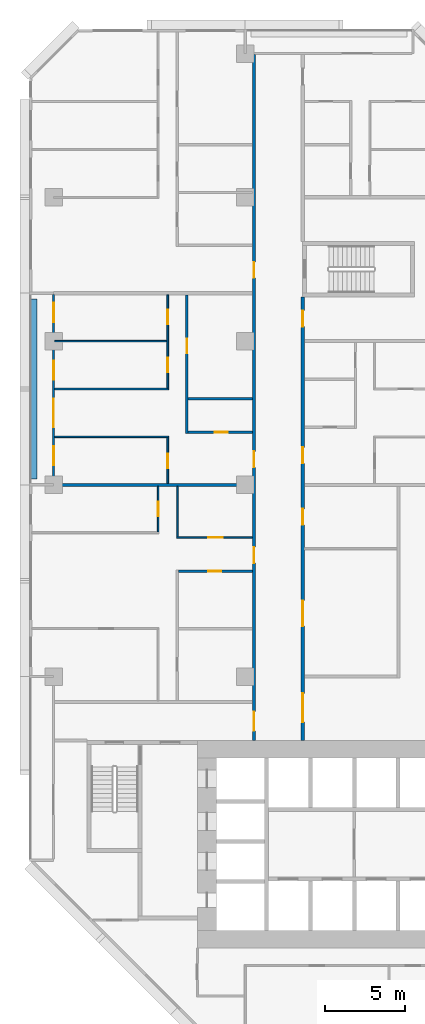
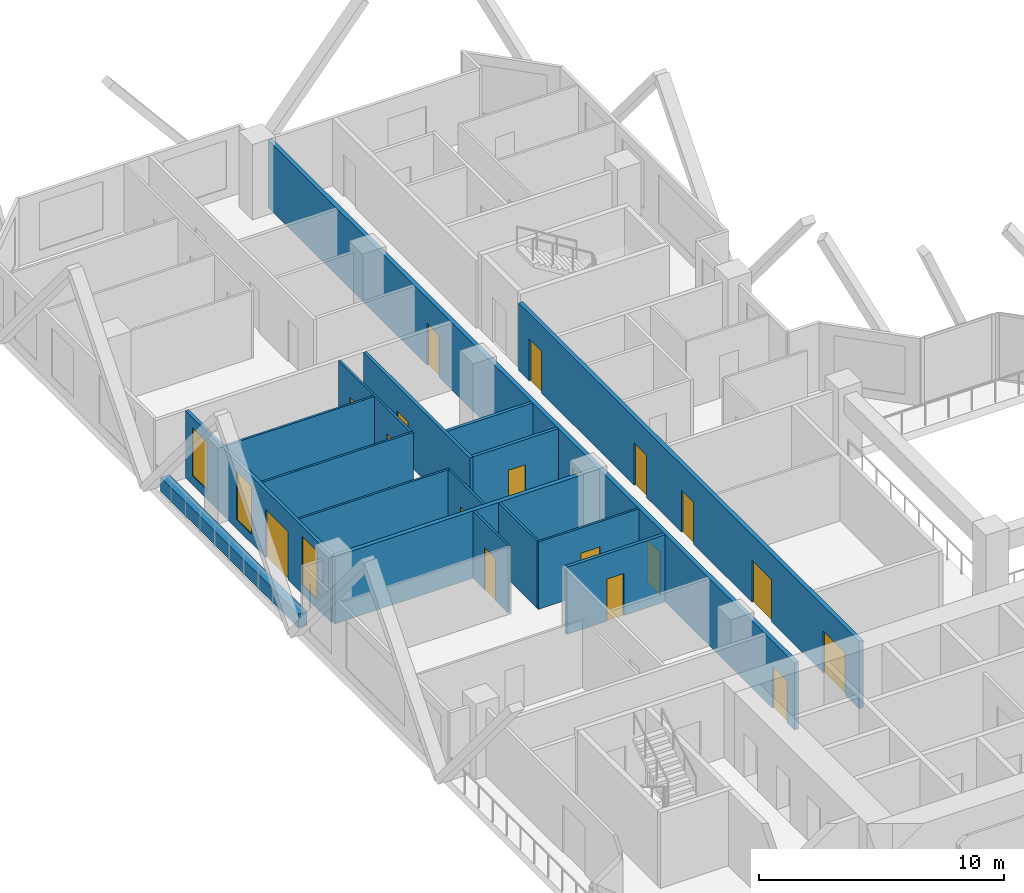
# One storey, part 9 of 16: 18 doors, 17 walls, 3 windows, 21 openings.
"""IFC4 building model written with IfcOpenShell, lengths in metres."""

import ifcopenshell
import ifcopenshell.guid

model = None  # the IFC model being written
_history = None  # IfcOwnerHistory: only IFC2X3 demands one
_inside = {}  # id of a spatial element -> (the spatial element, [elements in it])
_under = {}  # id of a project, library or spatial element -> (it, [spatial elements below it])
_declared = {}  # id of a project -> (the project, [libraries it declares])
_typed = {}  # id of a type object -> (the type object, [elements of that type])
_made_of = {}  # id of a material, layer set ... -> (it, [elements and type objects made of it])


def new_model(schema):
    """Start an empty IFC model of exactly this schema.

    Asked for "IFC4X3", IfcOpenShell would pick the latest addendum, in which some entities
    have other attributes; the version numbers below select the first issue.
    IFC2X3 requires an IfcOwnerHistory on every rooted entity: one is made here for all.
    """
    global model, _history
    if schema == "IFC4X3":
        model = ifcopenshell.file(schema_version=(4, 3, 0, 0))
    else:
        model = ifcopenshell.file(schema=schema)
    _inside.clear()
    _under.clear()
    _declared.clear()
    _typed.clear()
    _made_of.clear()
    _history = None
    if model.schema == "IFC2X3":
        org = make("IfcOrganization", Name="unknown")
        user = make(
            "IfcPersonAndOrganization",
            ThePerson=make("IfcPerson", FamilyName="unknown"),
            TheOrganization=org,
        )
        app = make(
            "IfcApplication",
            ApplicationDeveloper=org,
            Version="unknown",
            ApplicationFullName="unknown",
            ApplicationIdentifier="unknown",
        )
        _history = make(
            "IfcOwnerHistory",
            OwningUser=user,
            OwningApplication=app,
            ChangeAction="ADDED",
            CreationDate=0,
        )
    return model


def make(cls, **values):
    """One entity of the class cls with the attributes given. An attribute that is None is left unset."""
    return model.create_entity(
        cls, **{name: value for name, value in values.items() if value is not None}
    )


def rooted(cls, **values):
    """An entity with a GlobalId (a new one), such as an element, a storey or a relation."""
    return make(cls, GlobalId=ifcopenshell.guid.new(), OwnerHistory=_history, **values)


def si_unit(unit_type, name, prefix=None):
    """IfcSIUnit, for example si_unit("LENGTHUNIT", "METRE", prefix="MILLI")."""
    return make("IfcSIUnit", UnitType=unit_type, Prefix=prefix, Name=name)


def assignment(units):
    """IfcUnitAssignment: the units of a project."""
    return None if units is None else make("IfcUnitAssignment", Units=units)


def point(xyz):
    """IfcCartesianPoint."""
    return None if xyz is None else make("IfcCartesianPoint", Coordinates=xyz)


def direction(xyz):
    """IfcDirection."""
    return None if xyz is None else make("IfcDirection", DirectionRatios=xyz)


def frame(location, z_axis=None, x_axis=None):
    """IfcAxis2Placement3D, a coordinate frame: its origin and axes. An axis left out is left unset."""
    return make(
        "IfcAxis2Placement3D",
        Location=point(location),
        Axis=direction(z_axis),
        RefDirection=direction(x_axis),
    )


def frame_2d(location, x_axis=None):
    """IfcAxis2Placement2D, a coordinate frame in the plane: its origin and x axis."""
    return make(
        "IfcAxis2Placement2D", Location=point(location), RefDirection=direction(x_axis)
    )


def origin():
    """The frame at (0, 0, 0) with its axes left unset."""
    return frame((0.0, 0.0, 0.0))


def place(relative_to, where):
    """IfcLocalPlacement: puts the frame where relative to a parent placement (None: the world)."""
    return make(
        "IfcLocalPlacement", PlacementRelTo=relative_to, RelativePlacement=where
    )


def context(
    kind, dimensions, precision=None, world=None, true_north=None, identifier=None
):
    """IfcGeometricRepresentationContext, for example the 3D "Model" context."""
    return make(
        "IfcGeometricRepresentationContext",
        ContextIdentifier=identifier,
        ContextType=kind,
        CoordinateSpaceDimension=dimensions,
        Precision=precision,
        WorldCoordinateSystem=world,
        TrueNorth=true_north,
    )


def subcontext(parent, identifier, kind, view, scale=None):
    """IfcGeometricRepresentationSubContext, for example "Body" below "Model"."""
    return make(
        "IfcGeometricRepresentationSubContext",
        ContextIdentifier=identifier,
        ContextType=kind,
        ParentContext=parent,
        TargetScale=scale,
        TargetView=view,
    )


def project(units=None, contexts=None):
    """IfcProject with its units and contexts."""
    return rooted(
        "IfcProject",
        Name="project",
        RepresentationContexts=contexts,
        UnitsInContext=assignment(units),
    )


def spatial(cls, under=None, at=None, **own):
    """A site, building, storey or space (cls), placed at a placement, below another one or the project."""
    s = rooted(cls, ObjectPlacement=at, **own)
    if under is not None:
        _under.setdefault(under.id(), (under, []))[1].append(s)
    return s


def profile(cls, at=None, kind="AREA", **sizes):
    """A parametric profile (cls). Its sizes go by their IFC names, for example OverallWidth=200.0."""
    return make(cls, ProfileType=kind, Position=at, **sizes)


def rectangle(**sizes):
    """IfcRectangleProfileDef."""
    return profile("IfcRectangleProfileDef", **sizes)


def extrude(swept, where, along, depth):
    """IfcExtrudedAreaSolid: the profile swept, set in the frame where, extruded along a direction by depth."""
    return make(
        "IfcExtrudedAreaSolid",
        SweptArea=swept,
        Position=where,
        ExtrudedDirection=direction(along),
        Depth=depth,
    )


def shape(context_of_items, identifier, shape_type, items):
    """IfcShapeRepresentation: the items that make up one representation, for example the "Body"."""
    return make(
        "IfcShapeRepresentation",
        ContextOfItems=context_of_items,
        RepresentationIdentifier=identifier,
        RepresentationType=shape_type,
        Items=items,
    )


def material(Name=None, Category=None):
    """IfcMaterial."""
    return make("IfcMaterial", Name=Name, Category=Category)


def layer(
    of_material, thickness, ventilated=None, Name=None, Category=None, Priority=None
):
    """IfcMaterialLayer: one layer of a wall or slab, of a material (None: an air gap)."""
    return make(
        "IfcMaterialLayer",
        Material=of_material,
        LayerThickness=thickness,
        IsVentilated=ventilated,
        Name=Name,
        Category=Category,
        Priority=Priority,
    )


def layer_set(layers, Name=None):
    """IfcMaterialLayerSet."""
    return make("IfcMaterialLayerSet", MaterialLayers=layers, LayerSetName=Name)


def made_of(thing, what):
    """Note that an element or type object is made of a material, layer set ...; save() writes the relation."""
    if what is not None:
        _made_of.setdefault(what.id(), (what, []))[1].append(thing)
    return thing


def type_object(cls, material=None, **own):
    """A type object (cls), such as IfcWallType, which elements share."""
    return made_of(rooted(cls, **own), material)


def element(
    cls,
    number,
    at=None,
    inside=None,
    cuts=None,
    type_object=None,
    material=None,
    context=None,
    identifier="Body",
    shape_type=None,
    held_by="IfcProductDefinitionShape",
    body=None,
    shapes=None,
    **own,
):
    """One element of the class cls, such as IfcWall. Its Tag is "e" and its number.

    at: its placement. inside: the storey or other place that contains it. cuts: it is an
    opening in that element (IfcRelVoidsElement). A single representation is given by context,
    identifier, shape_type and body (its items); several are given by shapes. held_by: the class
    of the entity that holds the representations. save() writes the other relations.
    """
    e = rooted(cls, Tag="e%d" % number, ObjectPlacement=at, **own)
    if body is not None:
        shapes = [shape(context, identifier, shape_type, body)]
    if shapes is not None:
        e.Representation = make(held_by, Representations=shapes)
    if inside is not None:
        _inside.setdefault(inside.id(), (inside, []))[1].append(e)
    if cuts is not None:
        rooted(
            "IfcRelVoidsElement", RelatingBuildingElement=cuts, RelatedOpeningElement=e
        )
    if type_object is not None:
        _typed.setdefault(type_object.id(), (type_object, []))[1].append(e)
    return made_of(e, material)


def fill(opening, filler):
    """IfcRelFillsElement: the door or window that sits in an opening."""
    return rooted(
        "IfcRelFillsElement",
        RelatingOpeningElement=opening,
        RelatedBuildingElement=filler,
    )


def aggregate(whole, parts):
    """IfcRelAggregates: a whole, such as a stair, and the parts it consists of."""
    return rooted("IfcRelAggregates", RelatingObject=whole, RelatedObjects=parts)


def save(model, path):
    """Write the relations noted so far, then the file.

    IfcRelAggregates (storeys below a building ...), IfcRelContainedInSpatialStructure (elements
    in a storey), IfcRelDefinesByType, IfcRelAssociatesMaterial and IfcRelDeclares: one each for
    every whole, place, type object, material and project.
    """
    for whole, parts in _under.values():
        aggregate(whole, parts)
    for where, things in _inside.values():
        rooted(
            "IfcRelContainedInSpatialStructure",
            RelatedElements=things,
            RelatingStructure=where,
        )
    for kind, things in _typed.values():
        rooted("IfcRelDefinesByType", RelatedObjects=things, RelatingType=kind)
    for what, things in _made_of.values():
        rooted("IfcRelAssociatesMaterial", RelatedObjects=things, RelatingMaterial=what)
    for by, libraries in _declared.values():
        rooted("IfcRelDeclares", RelatingContext=by, RelatedDefinitions=libraries)
    model.write(path)


model = new_model("IFC4")

# Units and contexts
model_context = context("Model", 3, precision=1e-05, world=origin(), true_north=direction((0.0, 1.0)))
body_context = subcontext(model_context, "Body", "Model", "MODEL_VIEW")
ifc_project = project(units=[si_unit("LENGTHUNIT", "METRE"), si_unit("AREAUNIT", "SQUARE_METRE"), si_unit("VOLUMEUNIT", "CUBIC_METRE"), si_unit("PLANEANGLEUNIT", "RADIAN"), si_unit("MASSUNIT", "GRAM", prefix="KILO")], contexts=[model_context])

# Site, building, storey
site_placement = place(None, origin())
site = spatial("IfcSite", under=ifc_project, at=site_placement, CompositionType="ELEMENT")
building_placement = place(site_placement, origin())
building = spatial("IfcBuilding", under=site, at=building_placement, Name="Chenar Terraces", CompositionType="ELEMENT")
storey_placement = place(building_placement, frame((0.0, 0.0, 71.39990234375)))
storey = spatial("IfcBuildingStorey", under=building, at=storey_placement, Name="L15", CompositionType="ELEMENT", Elevation=71.39990234375)

# Wall, openings, doors
ifc_material_1 = material(Name="Gypsum board on steel studs with fire boards", Category="steel")
ifc_layer_1 = layer(ifc_material_1, 0.199951171875)
ifc_layer_set_1 = layer_set([ifc_layer_1], Name="Gypsum board on steel studs with fire boards")
wall_type_1 = type_object("IfcWallType", Name="Corridor wall 200", PredefinedType="PARTITIONING", material=ifc_layer_set_1)
wall_1_placement = place(storey_placement, frame((12.550048828125, 20.0, 0.0), z_axis=(0.0, 0.0, 1.0), x_axis=(0.0, 1.0, 0.0)))
wall_1 = element("IfcWall", 1, at=wall_1_placement, inside=storey, type_object=wall_type_1, Name="Partition L15-035", PredefinedType="PARTITIONING", context=body_context, shape_type="SweptSolid", body=[
    extrude(rectangle(XDim=42.926025390625, YDim=0.199951171875, at=frame_2d((21.462890625, 0.0))), origin(), (0.0, 0.0, 1.0), 3.35009765625),
])
opening_1_placement = place(wall_1_placement, frame((17.10009765625, 0.0, 0.0)))
opening_1 = element("IfcOpeningElement", 2, at=opening_1_placement, cuts=wall_1, Name="Opening DL15-44", PredefinedType="OPENING", context=body_context, shape_type="SweptSolid", body=[
    extrude(rectangle(XDim=1.0, YDim=2.10009765625, at=frame_2d((0.5, 1.050048828125))), frame((0.0, 0.10986328125, 0.0), z_axis=(0.0, -1.0, 0.0), x_axis=(1.0, 0.0, 0.0)), (0.0, 0.0, 1.0), 0.219970703125),
])
opening_2_placement = place(wall_1_placement, frame((28.949951171875, 0.0, 0.0)))
opening_2 = element("IfcOpeningElement", 3, at=opening_2_placement, cuts=wall_1, Name="Opening DL15-50", PredefinedType="OPENING", context=body_context, shape_type="SweptSolid", body=[
    extrude(rectangle(XDim=1.0, YDim=2.10009765625, at=frame_2d((0.5, 1.050048828125))), frame((0.0, 0.10986328125, 0.0), z_axis=(0.0, -1.0, 0.0), x_axis=(1.0, 0.0, 0.0)), (0.0, 0.0, 1.0), 0.219970703125),
])
opening_3_placement = place(wall_1_placement, frame((0.60009765625, 0.0, 0.0)))
opening_3 = element("IfcOpeningElement", 4, at=opening_3_placement, cuts=wall_1, Name="Opening DL15-54", PredefinedType="OPENING", context=body_context, shape_type="SweptSolid", body=[
    extrude(rectangle(XDim=1.199951171875, YDim=2.10009765625, at=frame_2d((0.60009765625, 1.050048828125))), frame((0.0, 0.10986328125, 0.0), z_axis=(0.0, -1.0, 0.0), x_axis=(1.0, 0.0, 0.0)), (0.0, 0.0, 1.0), 0.219970703125),
])
opening_4_placement = place(wall_1_placement, frame((11.10009765625, 0.0, 0.0)))
opening_4 = element("IfcOpeningElement", 5, at=opening_4_placement, cuts=wall_1, Name="Opening DL15-75", PredefinedType="OPENING", context=body_context, shape_type="SweptSolid", body=[
    extrude(rectangle(XDim=1.0, YDim=2.10009765625, at=frame_2d((0.5, 1.050048828125))), frame((0.0, 0.10986328125, 0.0), z_axis=(0.0, -1.0, 0.0), x_axis=(1.0, 0.0, 0.0)), (0.0, 0.0, 1.0), 0.219970703125),
])
ifc_material_2 = material(Name="Steel-framed fire-resisting door leaf", Category="steel")
door_type_1 = type_object("IfcDoorType", Name="Fire door FD30S 1000 x 2100", OperationType="SINGLE_SWING_LEFT", PredefinedType="DOOR", material=ifc_material_2)
door_1_placement = place(opening_1_placement, origin())
door_1 = element("IfcDoor", 6, at=door_1_placement, inside=storey, type_object=door_type_1, Name="Door DL15-44", OperationType="SINGLE_SWING_LEFT", OverallHeight=2.10009765625, OverallWidth=1.0, PredefinedType="DOOR", context=body_context, shape_type="SweptSolid", body=[
    extrude(rectangle(XDim=1.0, YDim=2.10009765625, at=frame_2d((0.5, 1.050048828125))), frame((0.0, 0.02490234375, 0.0), z_axis=(0.0, -1.0, 0.0), x_axis=(1.0, 0.0, 0.0)), (0.0, 0.0, 1.0), 0.050048828125),
])
fill(opening_1, door_1)
door_2_placement = place(opening_2_placement, origin())
door_2 = element("IfcDoor", 7, at=door_2_placement, inside=storey, type_object=door_type_1, Name="Door DL15-50", OperationType="SINGLE_SWING_LEFT", OverallHeight=2.10009765625, OverallWidth=1.0, PredefinedType="DOOR", context=body_context, shape_type="SweptSolid", body=[
    extrude(rectangle(XDim=1.0, YDim=2.10009765625, at=frame_2d((0.5, 1.050048828125))), frame((0.0, 0.02490234375, 0.0), z_axis=(0.0, -1.0, 0.0), x_axis=(1.0, 0.0, 0.0)), (0.0, 0.0, 1.0), 0.050048828125),
])
fill(opening_2, door_2)
door_3_placement = place(opening_4_placement, origin())
door_3 = element("IfcDoor", 8, at=door_3_placement, inside=storey, type_object=door_type_1, Name="Door DL15-75", OperationType="SINGLE_SWING_LEFT", OverallHeight=2.10009765625, OverallWidth=1.0, PredefinedType="DOOR", context=body_context, shape_type="SweptSolid", body=[
    extrude(rectangle(XDim=1.0, YDim=2.10009765625, at=frame_2d((0.5, 1.050048828125))), frame((0.0, 0.02490234375, 0.0), z_axis=(0.0, -1.0, 0.0), x_axis=(1.0, 0.0, 0.0)), (0.0, 0.0, 1.0), 0.050048828125),
])
fill(opening_4, door_3)
ifc_material_3 = material(Name="Steel-framed fire-resisting door leaf", Category="steel")
door_type_2 = type_object("IfcDoorType", Name="Fire door FD30S 1200 x 2100", OperationType="SINGLE_SWING_LEFT", PredefinedType="DOOR", material=ifc_material_3)
door_4_placement = place(opening_3_placement, origin())
door_4 = element("IfcDoor", 9, at=door_4_placement, inside=storey, type_object=door_type_2, Name="Door DL15-54", OperationType="SINGLE_SWING_RIGHT", OverallHeight=2.10009765625, OverallWidth=1.199951171875, PredefinedType="DOOR", context=body_context, shape_type="SweptSolid", body=[
    extrude(rectangle(XDim=1.199951171875, YDim=2.10009765625, at=frame_2d((0.60009765625, 1.050048828125))), frame((0.0, 0.02490234375, 0.0), z_axis=(0.0, -1.0, 0.0), x_axis=(1.0, 0.0, 0.0)), (0.0, 0.0, 1.0), 0.050048828125),
])
fill(opening_3, door_4)

wall_2_placement = place(storey_placement, frame((15.60009765625, 20.0, 0.0), z_axis=(0.0, 0.0, 1.0), x_axis=(0.0, 1.0, 0.0)))
wall_2 = element("IfcWall", 10, at=wall_2_placement, inside=storey, type_object=wall_type_1, Name="Partition L15-036", PredefinedType="PARTITIONING", context=body_context, shape_type="SweptSolid", body=[
    extrude(rectangle(XDim=27.77490234375, YDim=0.199951171875, at=frame_2d((13.887451171875, 0.0))), origin(), (0.0, 0.0, 1.0), 3.35009765625),
])
opening_5_placement = place(wall_2_placement, frame((7.14990234375, 0.0, 0.0)))
opening_5 = element("IfcOpeningElement", 11, at=opening_5_placement, cuts=wall_2, Name="Opening DL15-1", PredefinedType="OPENING", context=body_context, shape_type="SweptSolid", body=[
    extrude(rectangle(XDim=1.60009765625, YDim=2.10009765625, at=frame_2d((0.800048828125, 1.050048828125))), frame((0.0, 0.10986328125, 0.0), z_axis=(0.0, -1.0, 0.0), x_axis=(1.0, 0.0, 0.0)), (0.0, 0.0, 1.0), 0.219970703125),
])
opening_6_placement = place(wall_2_placement, frame((13.5, 0.0, 0.0)))
opening_6 = element("IfcOpeningElement", 12, at=opening_6_placement, cuts=wall_2, Name="Opening DL15-2", PredefinedType="OPENING", context=body_context, shape_type="SweptSolid", body=[
    extrude(rectangle(XDim=1.0, YDim=2.10009765625, at=frame_2d((0.5, 1.050048828125))), frame((0.0, 0.10986328125, 0.0), z_axis=(0.0, -1.0, 0.0), x_axis=(1.0, 0.0, 0.0)), (0.0, 0.0, 1.0), 0.219970703125),
])
opening_7_placement = place(wall_2_placement, frame((17.35009765625, 0.0, 0.0)))
opening_7 = element("IfcOpeningElement", 13, at=opening_7_placement, cuts=wall_2, Name="Opening DL15-33", PredefinedType="OPENING", context=body_context, shape_type="SweptSolid", body=[
    extrude(rectangle(XDim=1.0, YDim=2.10009765625, at=frame_2d((0.5, 1.050048828125))), frame((0.0, 0.10986328125, 0.0), z_axis=(0.0, -1.0, 0.0), x_axis=(1.0, 0.0, 0.0)), (0.0, 0.0, 1.0), 0.219970703125),
])
opening_8_placement = place(wall_2_placement, frame((1.14990234375, 0.0, 0.0)))
opening_8 = element("IfcOpeningElement", 14, at=opening_8_placement, cuts=wall_2, Name="Opening DL15-53", PredefinedType="OPENING", context=body_context, shape_type="SweptSolid", body=[
    extrude(rectangle(XDim=1.800048828125, YDim=2.10009765625, at=frame_2d((0.89990234375, 1.050048828125))), frame((0.0, 0.10986328125, 0.0), z_axis=(0.0, -1.0, 0.0), x_axis=(1.0, 0.0, 0.0)), (0.0, 0.0, 1.0), 0.219970703125),
])
opening_9_placement = place(wall_2_placement, frame((25.89990234375, 0.0, 0.0)))
opening_9 = element("IfcOpeningElement", 15, at=opening_9_placement, cuts=wall_2, Name="Opening DL15-56", PredefinedType="OPENING", context=body_context, shape_type="SweptSolid", body=[
    extrude(rectangle(XDim=1.0, YDim=2.10009765625, at=frame_2d((0.5, 1.050048828125))), frame((0.0, 0.10986328125, 0.0), z_axis=(0.0, -1.0, 0.0), x_axis=(1.0, 0.0, 0.0)), (0.0, 0.0, 1.0), 0.219970703125),
])
ifc_material_4 = material(Name="Steel-framed fire-resisting door leaf", Category="steel")
door_type_3 = type_object("IfcDoorType", Name="Fire door FD60 1000 x 2100", OperationType="SINGLE_SWING_LEFT", PredefinedType="DOOR", material=ifc_material_4)
door_5_placement = place(opening_6_placement, frame((1.0, 0.0, 0.0), z_axis=(0.0, 0.0, 1.0), x_axis=(-1.0, 0.0, 0.0)))
door_5 = element("IfcDoor", 16, at=door_5_placement, inside=storey, type_object=door_type_3, Name="Door DL15-2", OperationType="SINGLE_SWING_LEFT", OverallHeight=2.10009765625, OverallWidth=1.0, PredefinedType="DOOR", context=body_context, shape_type="SweptSolid", body=[
    extrude(rectangle(XDim=1.0, YDim=2.10009765625, at=frame_2d((0.5, 1.050048828125))), frame((0.0, 0.02490234375, 0.0), z_axis=(0.0, -1.0, 0.0), x_axis=(1.0, 0.0, 0.0)), (0.0, 0.0, 1.0), 0.050048828125),
])
fill(opening_6, door_5)
door_6_placement = place(opening_7_placement, frame((1.0, 0.0, 0.0), z_axis=(0.0, 0.0, 1.0), x_axis=(-1.0, 0.0, 0.0)))
door_6 = element("IfcDoor", 17, at=door_6_placement, inside=storey, type_object=door_type_3, Name="Door DL15-33", OperationType="SINGLE_SWING_LEFT", OverallHeight=2.10009765625, OverallWidth=1.0, PredefinedType="DOOR", context=body_context, shape_type="SweptSolid", body=[
    extrude(rectangle(XDim=1.0, YDim=2.10009765625, at=frame_2d((0.5, 1.050048828125))), frame((0.0, 0.02490234375, 0.0), z_axis=(0.0, -1.0, 0.0), x_axis=(1.0, 0.0, 0.0)), (0.0, 0.0, 1.0), 0.050048828125),
])
fill(opening_7, door_6)
door_7_placement = place(opening_9_placement, frame((1.0, 0.0, 0.0), z_axis=(0.0, 0.0, 1.0), x_axis=(-1.0, 0.0, 0.0)))
door_7 = element("IfcDoor", 18, at=door_7_placement, inside=storey, type_object=door_type_3, Name="Door DL15-56", OperationType="SINGLE_SWING_RIGHT", OverallHeight=2.10009765625, OverallWidth=1.0, PredefinedType="DOOR", context=body_context, shape_type="SweptSolid", body=[
    extrude(rectangle(XDim=1.0, YDim=2.10009765625, at=frame_2d((0.5, 1.050048828125))), frame((0.0, 0.02490234375, 0.0), z_axis=(0.0, -1.0, 0.0), x_axis=(1.0, 0.0, 0.0)), (0.0, 0.0, 1.0), 0.050048828125),
])
fill(opening_9, door_7)
ifc_material_5 = material(Name="Steel-framed fire-resisting door leaf", Category="steel")
door_type_4 = type_object("IfcDoorType", Name="Fire double door FD60 1600 x 2100", OperationType="DOUBLE_DOOR_SINGLE_SWING", PredefinedType="DOOR", material=ifc_material_5)
door_8_placement = place(opening_5_placement, frame((1.60009765625, 0.0, 0.0), z_axis=(0.0, 0.0, 1.0), x_axis=(-1.0, 0.0, 0.0)))
door_8 = element("IfcDoor", 19, at=door_8_placement, inside=storey, type_object=door_type_4, Name="Door DL15-1", OperationType="DOUBLE_DOOR_SINGLE_SWING", OverallHeight=2.10009765625, OverallWidth=1.60009765625, PredefinedType="DOOR", context=body_context, shape_type="SweptSolid", body=[
    extrude(rectangle(XDim=1.60009765625, YDim=2.10009765625, at=frame_2d((0.800048828125, 1.050048828125))), frame((0.0, 0.02490234375, 0.0), z_axis=(0.0, -1.0, 0.0), x_axis=(1.0, 0.0, 0.0)), (0.0, 0.0, 1.0), 0.050048828125),
])
fill(opening_5, door_8)
ifc_material_6 = material(Name="Steel-framed fire-resisting door leaf", Category="steel")
door_type_5 = type_object("IfcDoorType", Name="Fire double door FD60 1800 x 2100", OperationType="DOUBLE_DOOR_SINGLE_SWING", PredefinedType="DOOR", material=ifc_material_6)
door_9_placement = place(opening_8_placement, frame((1.800048828125, 0.0, 0.0), z_axis=(0.0, 0.0, 1.0), x_axis=(-1.0, 0.0, 0.0)))
door_9 = element("IfcDoor", 20, at=door_9_placement, inside=storey, type_object=door_type_5, Name="Door DL15-53", OperationType="DOUBLE_DOOR_SINGLE_SWING", OverallHeight=2.10009765625, OverallWidth=1.800048828125, PredefinedType="DOOR", context=body_context, shape_type="SweptSolid", body=[
    extrude(rectangle(XDim=1.800048828125, YDim=2.10009765625, at=frame_2d((0.89990234375, 1.050048828125))), frame((0.0, 0.02490234375, 0.0), z_axis=(0.0, -1.0, 0.0), x_axis=(1.0, 0.0, 0.0)), (0.0, 0.0, 1.0), 0.050048828125),
])
fill(opening_8, door_9)

# Wall, openings, windows, door
ifc_material_7 = material(Name="Aluminium framed glazing", Category="aluminium")
ifc_layer_2 = layer(ifc_material_7, 0.14990234375)
ifc_layer_set_2 = layer_set([ifc_layer_2], Name="Aluminium framed glazing")
wall_type_2 = type_object("IfcWallType", Name="Glazed loggia back wall 150", PredefinedType="SOLIDWALL", material=ifc_layer_set_2)
wall_3_placement = place(storey_placement, frame((0.0, 47.925048828125, 0.0), z_axis=(0.0, 0.0, 1.0), x_axis=(0.0, -1.0, 0.0)))
wall_3 = element("IfcWall", 21, at=wall_3_placement, inside=storey, type_object=wall_type_2, Name="Glazed loggia back wall", PredefinedType="SOLIDWALL", context=body_context, shape_type="SweptSolid", body=[
    extrude(rectangle(XDim=11.85009765625, YDim=0.14990234375, at=frame_2d((5.925048828125, 0.0))), origin(), (0.0, 0.0, 1.0), 3.35009765625),
])
opening_10_placement = place(wall_3_placement, frame((0.53759765625, 0.0, 0.449951171875)))
opening_10 = element("IfcOpeningElement", 22, at=opening_10_placement, cuts=wall_3, Name="Opening W120x240", PredefinedType="OPENING", context=body_context, shape_type="SweptSolid", body=[
    extrude(rectangle(XDim=1.199951171875, YDim=2.39990234375, at=frame_2d((0.60009765625, 1.199951171875))), frame((0.0, 0.0849609375, 0.0), z_axis=(0.0, -1.0, 0.0), x_axis=(1.0, 0.0, 0.0)), (0.0, 0.0, 1.0), 0.169921875),
])
opening_11_placement = place(wall_3_placement, frame((4.14990234375, 0.0, 0.449951171875)))
opening_11 = element("IfcOpeningElement", 23, at=opening_11_placement, cuts=wall_3, Name="Opening W120x240", PredefinedType="OPENING", context=body_context, shape_type="SweptSolid", body=[
    extrude(rectangle(XDim=1.199951171875, YDim=2.39990234375, at=frame_2d((0.60009765625, 1.199951171875))), frame((0.0, 0.0849609375, 0.0), z_axis=(0.0, -1.0, 0.0), x_axis=(1.0, 0.0, 0.0)), (0.0, 0.0, 1.0), 0.169921875),
])
opening_12_placement = place(wall_3_placement, frame((6.52490234375, 0.0, 0.0)))
opening_12 = element("IfcOpeningElement", 24, at=opening_12_placement, cuts=wall_3, Name="Opening DL15-G3", PredefinedType="OPENING", context=body_context, shape_type="SweptSolid", body=[
    extrude(rectangle(XDim=1.800048828125, YDim=2.39990234375, at=frame_2d((0.89990234375, 1.199951171875))), frame((0.0, 0.0849609375, 0.0), z_axis=(0.0, -1.0, 0.0), x_axis=(1.0, 0.0, 0.0)), (0.0, 0.0, 1.0), 0.169921875),
])
opening_13_placement = place(wall_3_placement, frame((9.5, 0.0, 0.449951171875)))
opening_13 = element("IfcOpeningElement", 25, at=opening_13_placement, cuts=wall_3, Name="Opening W120x240", PredefinedType="OPENING", context=body_context, shape_type="SweptSolid", body=[
    extrude(rectangle(XDim=1.199951171875, YDim=2.39990234375, at=frame_2d((0.60009765625, 1.199951171875))), frame((0.0, 0.0849609375, 0.0), z_axis=(0.0, -1.0, 0.0), x_axis=(1.0, 0.0, 0.0)), (0.0, 0.0, 1.0), 0.169921875),
])
ifc_material_8 = material(Name="Low emissivity double glazing, aluminium frame", Category="aluminium")
window_type = type_object("IfcWindowType", Name="Fixed light 1200 x 2400", PartitioningType="SINGLE_PANEL", PredefinedType="WINDOW", material=ifc_material_8)
window_1_placement = place(opening_10_placement, origin())
window_1 = element("IfcWindow", 26, at=window_1_placement, inside=storey, type_object=window_type, Name="Window", OverallHeight=2.39990234375, OverallWidth=1.199951171875, PartitioningType="SINGLE_PANEL", PredefinedType="WINDOW", context=body_context, shape_type="SweptSolid", body=[
    extrude(rectangle(XDim=1.199951171875, YDim=2.39990234375, at=frame_2d((0.60009765625, 1.199951171875))), frame((0.0, 0.030029296875, 0.0), z_axis=(0.0, -1.0, 0.0), x_axis=(1.0, 0.0, 0.0)), (0.0, 0.0, 1.0), 0.06005859375),
])
fill(opening_10, window_1)
window_2_placement = place(opening_11_placement, origin())
window_2 = element("IfcWindow", 27, at=window_2_placement, inside=storey, type_object=window_type, Name="Window", OverallHeight=2.39990234375, OverallWidth=1.199951171875, PartitioningType="SINGLE_PANEL", PredefinedType="WINDOW", context=body_context, shape_type="SweptSolid", body=[
    extrude(rectangle(XDim=1.199951171875, YDim=2.39990234375, at=frame_2d((0.60009765625, 1.199951171875))), frame((0.0, 0.030029296875, 0.0), z_axis=(0.0, -1.0, 0.0), x_axis=(1.0, 0.0, 0.0)), (0.0, 0.0, 1.0), 0.06005859375),
])
fill(opening_11, window_2)
window_3_placement = place(opening_13_placement, origin())
window_3 = element("IfcWindow", 28, at=window_3_placement, inside=storey, type_object=window_type, Name="Window", OverallHeight=2.39990234375, OverallWidth=1.199951171875, PartitioningType="SINGLE_PANEL", PredefinedType="WINDOW", context=body_context, shape_type="SweptSolid", body=[
    extrude(rectangle(XDim=1.199951171875, YDim=2.39990234375, at=frame_2d((0.60009765625, 1.199951171875))), frame((0.0, 0.030029296875, 0.0), z_axis=(0.0, -1.0, 0.0), x_axis=(1.0, 0.0, 0.0)), (0.0, 0.0, 1.0), 0.06005859375),
])
fill(opening_13, window_3)
ifc_material_9 = material(Name="Low emissivity double glazing, aluminium frame", Category="aluminium")
door_type_6 = type_object("IfcDoorType", Name="Loggia glazed double door 1800 x 2400", OperationType="DOUBLE_DOOR_SINGLE_SWING", PredefinedType="DOOR", material=ifc_material_9)
door_10_placement = place(opening_12_placement, frame((1.800048828125, 0.0, 0.0), z_axis=(0.0, 0.0, 1.0), x_axis=(-1.0, 0.0, 0.0)))
door_10 = element("IfcDoor", 29, at=door_10_placement, inside=storey, type_object=door_type_6, Name="Loggia glazed door", OperationType="DOUBLE_DOOR_SINGLE_SWING", OverallHeight=2.39990234375, OverallWidth=1.800048828125, PredefinedType="DOOR", context=body_context, shape_type="SweptSolid", body=[
    extrude(rectangle(XDim=1.800048828125, YDim=2.39990234375, at=frame_2d((0.89990234375, 1.199951171875))), frame((0.0, 0.02490234375, 0.0), z_axis=(0.0, -1.0, 0.0), x_axis=(1.0, 0.0, 0.0)), (0.0, 0.0, 1.0), 0.050048828125),
])
fill(opening_12, door_10)

# Walls
ifc_material_10 = material(Name="Gypsum board on steel studs", Category="steel")
ifc_layer_3 = layer(ifc_material_10, 0.10009765625)
ifc_layer_set_3 = layer_set([ifc_layer_3], Name="Gypsum board on steel studs")
wall_type_3 = type_object("IfcWallType", Name="Gypsum partition 100", PredefinedType="PARTITIONING", material=ifc_layer_set_3)
for number, where, z_axis, x_axis, name in (
    (30, (0.073974609375, 39.0, 0.0), (0.0, 0.0, 1.0), (1.0, 0.0, 0.0), "Partition L15-010"),
    (31, (0.073974609375, 42.0, 0.0), (0.0, 0.0, 1.0), (1.0, 0.0, 0.0), "Partition L15-011"),
):
    element("IfcWall", number, at=place(storey_placement, frame(where, z_axis=z_axis, x_axis=x_axis)), inside=storey, type_object=wall_type_3, Name=name, PredefinedType="PARTITIONING", context=body_context, shape_type="SweptSolid", body=[
        extrude(rectangle(XDim=7.1259765625, YDim=0.10009765625, at=frame_2d((3.56298828125, 0.0))), origin(), (0.0, 0.0, 1.0), 3.35009765625),
    ])
wall_4_placement = place(storey_placement, frame((0.073974609375, 45.0, 0.0), z_axis=(0.0, 0.0, 1.0), x_axis=(1.0, 0.0, 0.0)))
element("IfcWall", 32, at=wall_4_placement, inside=storey, type_object=wall_type_3, Name="Partition L15-012", PredefinedType="PARTITIONING", context=body_context, shape_type="SweptSolid", body=[
    extrude(rectangle(XDim=7.026123046875, YDim=0.10009765625, at=frame_2d((3.51318359375, 0.0))), origin(), (0.0, 0.0, 1.0), 3.35009765625),
])

# Wall, opening, door
wall_5_placement = place(storey_placement, frame((6.550048828125, 33.050048828125, 0.0), z_axis=(0.0, 0.0, 1.0), x_axis=(0.0, 1.0, 0.0)))
wall_5 = element("IfcWall", 33, at=wall_5_placement, inside=storey, type_object=wall_type_3, Name="Partition L15-015", PredefinedType="PARTITIONING", context=body_context, shape_type="SweptSolid", body=[
    extrude(rectangle(XDim=2.849853515625, YDim=0.10009765625, at=frame_2d((1.4248046875, 0.0))), origin(), (0.0, 0.0, 1.0), 3.35009765625),
])
opening_14_placement = place(wall_5_placement, frame((1.0, 0.0, 0.0)))
opening_14 = element("IfcOpeningElement", 34, at=opening_14_placement, cuts=wall_5, Name="Opening DL15-72", PredefinedType="OPENING", context=body_context, shape_type="SweptSolid", body=[
    extrude(rectangle(XDim=0.89990234375, YDim=2.10009765625, at=frame_2d((0.449951171875, 1.050048828125))), frame((0.0, 0.06005859375, 0.0), z_axis=(0.0, -1.0, 0.0), x_axis=(1.0, 0.0, 0.0)), (0.0, 0.0, 1.0), 0.1201171875),
])
ifc_material_11 = material(Name="Veneered timber door leaf", Category="wood")
door_type_7 = type_object("IfcDoorType", Name="Door 900 x 2100", OperationType="SINGLE_SWING_LEFT", PredefinedType="DOOR", material=ifc_material_11)
door_11_placement = place(opening_14_placement, origin())
door_11 = element("IfcDoor", 35, at=door_11_placement, inside=storey, type_object=door_type_7, Name="Door DL15-72", OperationType="SINGLE_SWING_RIGHT", OverallHeight=2.10009765625, OverallWidth=0.89990234375, PredefinedType="DOOR", context=body_context, shape_type="SweptSolid", body=[
    extrude(rectangle(XDim=0.89990234375, YDim=2.10009765625, at=frame_2d((0.449951171875, 1.050048828125))), frame((0.0, 0.02490234375, 0.0), z_axis=(0.0, -1.0, 0.0), x_axis=(1.0, 0.0, 0.0)), (0.0, 0.0, 1.0), 0.050048828125),
])
fill(opening_14, door_11)

wall_6_placement = place(storey_placement, frame((7.14990234375, 36.10009765625, 0.0), z_axis=(0.0, 0.0, 1.0), x_axis=(0.0, 1.0, 0.0)))
wall_6 = element("IfcWall", 36, at=wall_6_placement, inside=storey, type_object=wall_type_3, Name="Partition L15-017", PredefinedType="PARTITIONING", context=body_context, shape_type="SweptSolid", body=[
    extrude(rectangle(XDim=2.849853515625, YDim=0.10009765625, at=frame_2d((1.4248046875, 0.0))), origin(), (0.0, 0.0, 1.0), 3.35009765625),
])
opening_15_placement = place(wall_6_placement, frame((0.949951171875, 0.0, 0.0)))
opening_15 = element("IfcOpeningElement", 37, at=opening_15_placement, cuts=wall_6, Name="Opening DL15-40", PredefinedType="OPENING", context=body_context, shape_type="SweptSolid", body=[
    extrude(rectangle(XDim=0.89990234375, YDim=2.10009765625, at=frame_2d((0.449951171875, 1.050048828125))), frame((0.0, 0.06005859375, 0.0), z_axis=(0.0, -1.0, 0.0), x_axis=(1.0, 0.0, 0.0)), (0.0, 0.0, 1.0), 0.1201171875),
])
door_12_placement = place(opening_15_placement, origin())
door_12 = element("IfcDoor", 38, at=door_12_placement, inside=storey, type_object=door_type_7, Name="Door DL15-40", OperationType="SINGLE_SWING_RIGHT", OverallHeight=2.10009765625, OverallWidth=0.89990234375, PredefinedType="DOOR", context=body_context, shape_type="SweptSolid", body=[
    extrude(rectangle(XDim=0.89990234375, YDim=2.10009765625, at=frame_2d((0.449951171875, 1.050048828125))), frame((0.0, 0.02490234375, 0.0), z_axis=(0.0, -1.0, 0.0), x_axis=(1.0, 0.0, 0.0)), (0.0, 0.0, 1.0), 0.050048828125),
])
fill(opening_15, door_12)

# Wall, openings, doors
wall_7_placement = place(storey_placement, frame((7.14990234375, 42.050048828125, 0.0), z_axis=(0.0, 0.0, 1.0), x_axis=(0.0, 1.0, 0.0)))
wall_7 = element("IfcWall", 39, at=wall_7_placement, inside=storey, type_object=wall_type_3, Name="Partition L15-018", PredefinedType="PARTITIONING", context=body_context, shape_type="SweptSolid", body=[
    extrude(rectangle(XDim=5.849853515625, YDim=0.10009765625, at=frame_2d((2.9248046875, 0.0))), origin(), (0.0, 0.0, 1.0), 3.35009765625),
])
opening_16_placement = place(wall_7_placement, frame((1.0, 0.0, 0.0)))
opening_16 = element("IfcOpeningElement", 40, at=opening_16_placement, cuts=wall_7, Name="Opening DL15-41", PredefinedType="OPENING", context=body_context, shape_type="SweptSolid", body=[
    extrude(rectangle(XDim=0.89990234375, YDim=2.10009765625, at=frame_2d((0.449951171875, 1.050048828125))), frame((0.0, 0.06005859375, 0.0), z_axis=(0.0, -1.0, 0.0), x_axis=(1.0, 0.0, 0.0)), (0.0, 0.0, 1.0), 0.1201171875),
])
opening_17_placement = place(wall_7_placement, frame((4.0, 0.0, 0.0)))
opening_17 = element("IfcOpeningElement", 41, at=opening_17_placement, cuts=wall_7, Name="Opening DL15-42", PredefinedType="OPENING", context=body_context, shape_type="SweptSolid", body=[
    extrude(rectangle(XDim=0.89990234375, YDim=2.10009765625, at=frame_2d((0.449951171875, 1.050048828125))), frame((0.0, 0.06005859375, 0.0), z_axis=(0.0, -1.0, 0.0), x_axis=(1.0, 0.0, 0.0)), (0.0, 0.0, 1.0), 0.1201171875),
])
door_13_placement = place(opening_16_placement, origin())
door_13 = element("IfcDoor", 42, at=door_13_placement, inside=storey, type_object=door_type_7, Name="Door DL15-41", OperationType="SINGLE_SWING_RIGHT", OverallHeight=2.10009765625, OverallWidth=0.89990234375, PredefinedType="DOOR", context=body_context, shape_type="SweptSolid", body=[
    extrude(rectangle(XDim=0.89990234375, YDim=2.10009765625, at=frame_2d((0.449951171875, 1.050048828125))), frame((0.0, 0.02490234375, 0.0), z_axis=(0.0, -1.0, 0.0), x_axis=(1.0, 0.0, 0.0)), (0.0, 0.0, 1.0), 0.050048828125),
])
fill(opening_16, door_13)
door_14_placement = place(opening_17_placement, origin())
door_14 = element("IfcDoor", 43, at=door_14_placement, inside=storey, type_object=door_type_7, Name="Door DL15-42", OperationType="SINGLE_SWING_RIGHT", OverallHeight=2.10009765625, OverallWidth=0.89990234375, PredefinedType="DOOR", context=body_context, shape_type="SweptSolid", body=[
    extrude(rectangle(XDim=0.89990234375, YDim=2.10009765625, at=frame_2d((0.449951171875, 1.050048828125))), frame((0.0, 0.02490234375, 0.0), z_axis=(0.0, -1.0, 0.0), x_axis=(1.0, 0.0, 0.0)), (0.0, 0.0, 1.0), 0.050048828125),
])
fill(opening_17, door_14)

# Wall, opening, door
wall_8_placement = place(storey_placement, frame((7.699951171875, 32.699951171875, 0.0), z_axis=(0.0, 0.0, 1.0), x_axis=(1.0, 0.0, 0.0)))
wall_8 = element("IfcWall", 44, at=wall_8_placement, inside=storey, type_object=wall_type_3, Name="Partition L15-019", PredefinedType="PARTITIONING", context=body_context, shape_type="SweptSolid", body=[
    extrude(rectangle(XDim=4.75, YDim=0.10009765625, at=frame_2d((2.375, 0.0))), origin(), (0.0, 0.0, 1.0), 3.35009765625),
])
opening_18_placement = place(wall_8_placement, frame((2.0, 0.0, 0.0)))
opening_18 = element("IfcOpeningElement", 45, at=opening_18_placement, cuts=wall_8, Name="Opening DL15-73", PredefinedType="OPENING", context=body_context, shape_type="SweptSolid", body=[
    extrude(rectangle(XDim=0.89990234375, YDim=2.10009765625, at=frame_2d((0.449951171875, 1.050048828125))), frame((0.0, 0.06005859375, 0.0), z_axis=(0.0, -1.0, 0.0), x_axis=(1.0, 0.0, 0.0)), (0.0, 0.0, 1.0), 0.1201171875),
])
door_15_placement = place(opening_18_placement, origin())
door_15 = element("IfcDoor", 46, at=door_15_placement, inside=storey, type_object=door_type_7, Name="Door DL15-73", OperationType="SINGLE_SWING_RIGHT", OverallHeight=2.10009765625, OverallWidth=0.89990234375, PredefinedType="DOOR", context=body_context, shape_type="SweptSolid", body=[
    extrude(rectangle(XDim=0.89990234375, YDim=2.10009765625, at=frame_2d((0.449951171875, 1.050048828125))), frame((0.0, 0.02490234375, 0.0), z_axis=(0.0, -1.0, 0.0), x_axis=(1.0, 0.0, 0.0)), (0.0, 0.0, 1.0), 0.050048828125),
])
fill(opening_18, door_15)

# Walls
wall_9_placement = place(storey_placement, frame((7.75, 32.75, 0.0), z_axis=(0.0, 0.0, 1.0), x_axis=(0.0, 1.0, 0.0)))
element("IfcWall", 47, at=wall_9_placement, inside=storey, type_object=wall_type_3, Name="Partition L15-021", PredefinedType="PARTITIONING", context=body_context, shape_type="SweptSolid", body=[
    extrude(rectangle(XDim=3.14990234375, YDim=0.10009765625, at=frame_2d((1.574951171875, 0.0))), origin(), (0.0, 0.0, 1.0), 3.35009765625),
])
ifc_material_12 = material(Name="Twin gypsum board on steel studs with mineral wool", Category="steel")
ifc_layer_4 = layer(ifc_material_12, 0.199951171875)
ifc_layer_set_4 = layer_set([ifc_layer_4], Name="Twin gypsum board on steel studs with mineral wool")
wall_type_4 = type_object("IfcWallType", Name="Unit demising wall 200", PredefinedType="PARTITIONING", material=ifc_layer_set_4)
wall_10_placement = place(storey_placement, frame((0.0, 36.0, 0.0), z_axis=(0.0, 0.0, 1.0), x_axis=(1.0, 0.0, 0.0)))
element("IfcWall", 48, at=wall_10_placement, inside=storey, type_object=wall_type_4, Name="Partition L15-005", PredefinedType="PARTITIONING", context=body_context, shape_type="SweptSolid", body=[
    extrude(rectangle(XDim=12.449951171875, YDim=0.199951171875, at=frame_2d((6.22509765625, 0.0))), origin(), (0.0, 0.0, 1.0), 3.35009765625),
])
ifc_material_13 = material(Name="GRP planter trough")
ifc_layer_5 = layer(ifc_material_13, 0.39990234375)
ifc_layer_set_5 = layer_set([ifc_layer_5], Name="GRP planter trough")
wall_type_5 = type_object("IfcWallType", Name="Vertical greenery planter 400", PredefinedType="SOLIDWALL", material=ifc_layer_set_5)
wall_11_placement = place(storey_placement, frame((-1.22900390625, 47.625, 0.0), z_axis=(0.0, 0.0, 1.0), x_axis=(0.0, -1.0, 0.0)))
element("IfcWall", 49, at=wall_11_placement, inside=storey, type_object=wall_type_5, Name="Vertical greenery planter", PredefinedType="SOLIDWALL", context=body_context, shape_type="SweptSolid", body=[
    extrude(rectangle(XDim=11.25, YDim=0.39990234375, at=frame_2d((5.625, 0.0))), origin(), (0.0, 0.0, 1.0), 0.7001953125),
])

# Wall, opening, door
ifc_material_14 = material(Name="Moisture-resistant gypsum board on steel studs", Category="steel")
ifc_layer_6 = layer(ifc_material_14, 0.14990234375)
ifc_layer_set_6 = layer_set([ifc_layer_6], Name="Moisture-resistant gypsum board on steel studs")
wall_type_6 = type_object("IfcWallType", Name="Wet-room partition 150", PredefinedType="PARTITIONING", material=ifc_layer_set_6)
wall_12_placement = place(storey_placement, frame((7.824951171875, 30.60009765625, 0.0), z_axis=(0.0, 0.0, 1.0), x_axis=(1.0, 0.0, 0.0)))
wall_12 = element("IfcWall", 50, at=wall_12_placement, inside=storey, type_object=wall_type_6, Name="Partition L15-024", PredefinedType="PARTITIONING", context=body_context, shape_type="SweptSolid", body=[
    extrude(rectangle(XDim=4.625, YDim=0.14990234375, at=frame_2d((2.3125, 0.0))), origin(), (0.0, 0.0, 1.0), 3.35009765625),
])
opening_19_placement = place(wall_12_placement, frame((1.875, 0.0, 0.0)))
opening_19 = element("IfcOpeningElement", 51, at=opening_19_placement, cuts=wall_12, Name="Opening DL15-70", PredefinedType="OPENING", context=body_context, shape_type="SweptSolid", body=[
    extrude(rectangle(XDim=0.800048828125, YDim=2.10009765625, at=frame_2d((0.39990234375, 1.050048828125))), frame((0.0, 0.0849609375, 0.0), z_axis=(0.0, -1.0, 0.0), x_axis=(1.0, 0.0, 0.0)), (0.0, 0.0, 1.0), 0.169921875),
])
ifc_material_15 = material(Name="Veneered timber door leaf", Category="wood")
door_type_8 = type_object("IfcDoorType", Name="Door 800 x 2100", OperationType="SINGLE_SWING_LEFT", PredefinedType="DOOR", material=ifc_material_15)
door_16_placement = place(opening_19_placement, frame((0.800048828125, 0.0, 0.0), z_axis=(0.0, 0.0, 1.0), x_axis=(-1.0, 0.0, 0.0)))
door_16 = element("IfcDoor", 52, at=door_16_placement, inside=storey, type_object=door_type_8, Name="Door DL15-70", OperationType="SINGLE_SWING_RIGHT", OverallHeight=2.10009765625, OverallWidth=0.800048828125, PredefinedType="DOOR", context=body_context, shape_type="SweptSolid", body=[
    extrude(rectangle(XDim=0.800048828125, YDim=2.10009765625, at=frame_2d((0.39990234375, 1.050048828125))), frame((0.0, 0.02490234375, 0.0), z_axis=(0.0, -1.0, 0.0), x_axis=(1.0, 0.0, 0.0)), (0.0, 0.0, 1.0), 0.050048828125),
])
fill(opening_19, door_16)

wall_13_placement = place(storey_placement, frame((8.35009765625, 39.22509765625, 0.0), z_axis=(0.0, 0.0, 1.0), x_axis=(0.0, 1.0, 0.0)))
wall_13 = element("IfcWall", 53, at=wall_13_placement, inside=storey, type_object=wall_type_6, Name="Partition L15-028", PredefinedType="PARTITIONING", context=body_context, shape_type="SweptSolid", body=[
    extrude(rectangle(XDim=8.6748046875, YDim=0.14990234375, at=frame_2d((4.33740234375, 0.0))), origin(), (0.0, 0.0, 1.0), 3.35009765625),
])
opening_20_placement = place(wall_13_placement, frame((5.02490234375, 0.0, 0.0)))
opening_20 = element("IfcOpeningElement", 54, at=opening_20_placement, cuts=wall_13, Name="Opening DL15-43", PredefinedType="OPENING", context=body_context, shape_type="SweptSolid", body=[
    extrude(rectangle(XDim=0.89990234375, YDim=2.10009765625, at=frame_2d((0.449951171875, 1.050048828125))), frame((0.0, 0.0849609375, 0.0), z_axis=(0.0, -1.0, 0.0), x_axis=(1.0, 0.0, 0.0)), (0.0, 0.0, 1.0), 0.169921875),
])
door_17_placement = place(opening_20_placement, frame((0.89990234375, 0.0, 0.0), z_axis=(0.0, 0.0, 1.0), x_axis=(-1.0, 0.0, 0.0)))
door_17 = element("IfcDoor", 55, at=door_17_placement, inside=storey, type_object=door_type_7, Name="Door DL15-43", OperationType="SINGLE_SWING_LEFT", OverallHeight=2.10009765625, OverallWidth=0.89990234375, PredefinedType="DOOR", context=body_context, shape_type="SweptSolid", body=[
    extrude(rectangle(XDim=0.89990234375, YDim=2.10009765625, at=frame_2d((0.449951171875, 1.050048828125))), frame((0.0, 0.02490234375, 0.0), z_axis=(0.0, -1.0, 0.0), x_axis=(1.0, 0.0, 0.0)), (0.0, 0.0, 1.0), 0.050048828125),
])
fill(opening_20, door_17)

wall_14_placement = place(storey_placement, frame((8.425048828125, 39.300048828125, 0.0), z_axis=(0.0, 0.0, 1.0), x_axis=(1.0, 0.0, 0.0)))
wall_14 = element("IfcWall", 56, at=wall_14_placement, inside=storey, type_object=wall_type_6, Name="Partition L15-029", PredefinedType="PARTITIONING", context=body_context, shape_type="SweptSolid", body=[
    extrude(rectangle(XDim=4.02490234375, YDim=0.14990234375, at=frame_2d((2.012451171875, 0.0))), origin(), (0.0, 0.0, 1.0), 3.35009765625),
])
opening_21_placement = place(wall_14_placement, frame((1.675048828125, 0.0, 0.0)))
opening_21 = element("IfcOpeningElement", 57, at=opening_21_placement, cuts=wall_14, Name="Opening DL15-39", PredefinedType="OPENING", context=body_context, shape_type="SweptSolid", body=[
    extrude(rectangle(XDim=0.800048828125, YDim=2.10009765625, at=frame_2d((0.39990234375, 1.050048828125))), frame((0.0, 0.0849609375, 0.0), z_axis=(0.0, -1.0, 0.0), x_axis=(1.0, 0.0, 0.0)), (0.0, 0.0, 1.0), 0.169921875),
])
door_18_placement = place(opening_21_placement, origin())
door_18 = element("IfcDoor", 58, at=door_18_placement, inside=storey, type_object=door_type_8, Name="Door DL15-39", OperationType="SINGLE_SWING_LEFT", OverallHeight=2.10009765625, OverallWidth=0.800048828125, PredefinedType="DOOR", context=body_context, shape_type="SweptSolid", body=[
    extrude(rectangle(XDim=0.800048828125, YDim=2.10009765625, at=frame_2d((0.39990234375, 1.050048828125))), frame((0.0, 0.02490234375, 0.0), z_axis=(0.0, -1.0, 0.0), x_axis=(1.0, 0.0, 0.0)), (0.0, 0.0, 1.0), 0.050048828125),
])
fill(opening_21, door_18)

# Wall
wall_15_placement = place(storey_placement, frame((8.425048828125, 41.39990234375, 0.0), z_axis=(0.0, 0.0, 1.0), x_axis=(1.0, 0.0, 0.0)))
element("IfcWall", 59, at=wall_15_placement, inside=storey, type_object=wall_type_6, Name="Partition L15-030", PredefinedType="PARTITIONING", context=body_context, shape_type="SweptSolid", body=[
    extrude(rectangle(XDim=4.02490234375, YDim=0.14990234375, at=frame_2d((2.012451171875, 0.0))), origin(), (0.0, 0.0, 1.0), 3.35009765625),
])

save(model, "model.ifc")
